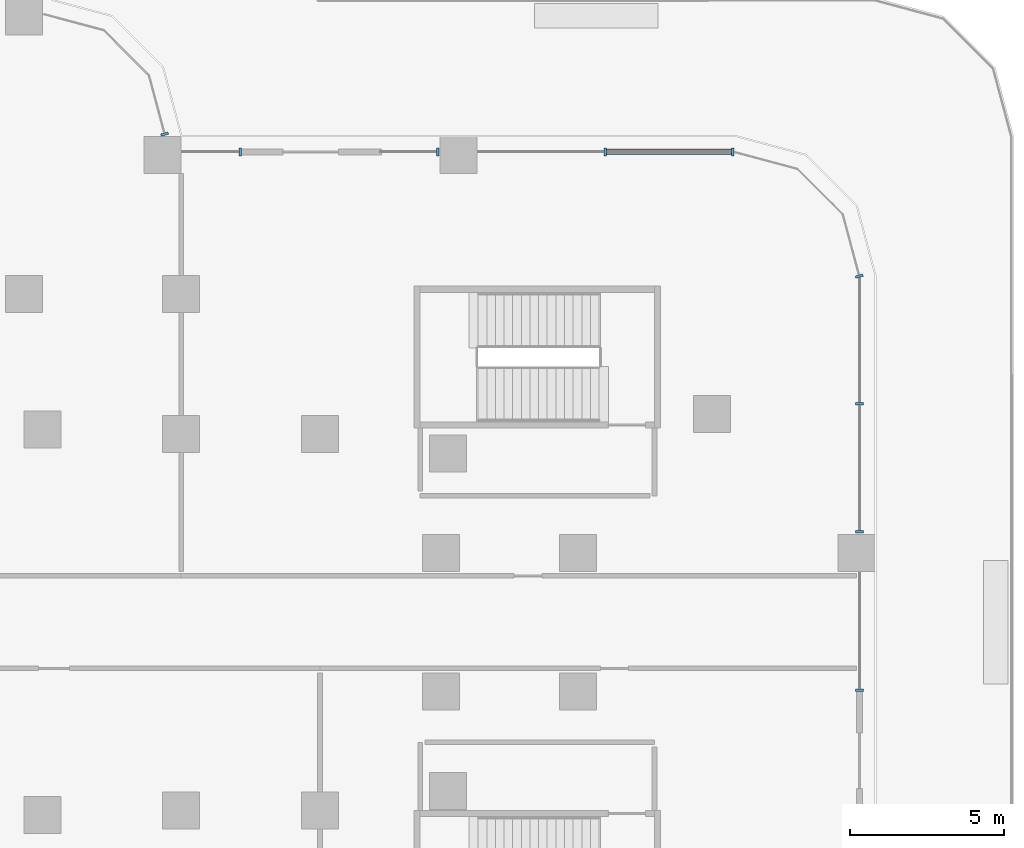
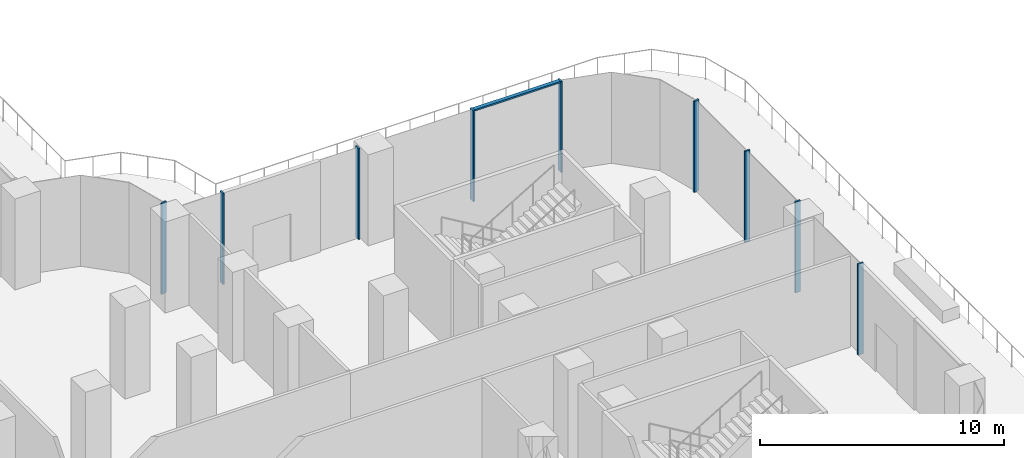
# One storey, part 9 of 27: 10 members, 4 elements without a shape of their own.
"""IFC4 building model written with IfcOpenShell, lengths in metres."""

from ifc_helpers import new_model, si_unit, direction, frame, origin, place, context, subcontext, project, spatial, polyline, outline, extrude, source, transform, mapped, material, type_object, element, aggregate, save


model = new_model("IFC4")

# Units and contexts
model_context = context("Model", 3, precision=1e-05, world=origin(), true_north=direction((0.0, 1.0)))
body_context = subcontext(model_context, "Body", "Model", "MODEL_VIEW")
ifc_project = project(units=[si_unit("LENGTHUNIT", "METRE"), si_unit("AREAUNIT", "SQUARE_METRE"), si_unit("VOLUMEUNIT", "CUBIC_METRE"), si_unit("PLANEANGLEUNIT", "RADIAN"), si_unit("MASSUNIT", "GRAM", prefix="KILO")], contexts=[model_context])

# Site, building, storey
site_placement = place(None, origin())
site = spatial("IfcSite", under=ifc_project, at=site_placement, CompositionType="ELEMENT")
building_placement = place(site_placement, origin())
building = spatial("IfcBuilding", under=site, at=building_placement, Name="Zarbagh Exchange Tower", CompositionType="ELEMENT")
storey_placement = place(building_placement, frame((0.0, 0.0, 17.0)))
storey = spatial("IfcBuildingStorey", under=building, at=storey_placement, Name="L03", CompositionType="ELEMENT", Elevation=17.0)

# Curtain wall, members
ifc_material_1 = material(Name="Anodised aluminium frame and glazing", Category="aluminium")
curtain_wall_type = type_object("IfcCurtainWallType", Name="CWC Podium garden-wall glazing", PredefinedType="NOTDEFINED", material=ifc_material_1)
curtain_wall_1_placement = place(storey_placement, origin())
curtain_wall_1 = element("IfcCurtainWall", 1, at=curtain_wall_1_placement, inside=storey, type_object=curtain_wall_type, Name="CWC154 curtain wall", PredefinedType="NOTDEFINED")
ifc_material_2 = material(Name="Anodised aluminium frame", Category="aluminium")
member_type_1 = type_object("IfcMemberType", Name="MUC Mullion, anodised aluminium frame", PredefinedType="MULLION", material=ifc_material_2)
shared_shape_1 = source(origin(), body_context, "Body", "SweptSolid", [
    extrude(outline(polyline([(0.0, -0.125), (0.080078125, -0.125), (0.080078125, 0.125), (0.0, 0.125), (0.0, -0.125)])), origin(), (0.0, 0.0, 1.0), 4.550048828125),
])
placement = place(storey_placement, origin())
member_1 = element("IfcMember", 2, at=placement, type_object=member_type_1, Name="CWC154 mullion 2.1", PredefinedType="MULLION", context=body_context, shape_type="MappedRepresentation", body=[
    mapped(shared_shape_1, transform((42.25, -2.25, 0.0), x_axis=(0.0, 1.0, 0.0), y_axis=(-1.0, 0.0, 0.0), z_axis=(0.0, 0.0, 1.0))),
])
member_2 = element("IfcMember", 3, at=placement, type_object=member_type_1, Name="CWC154 mullion 3.1", PredefinedType="MULLION", context=body_context, shape_type="MappedRepresentation", body=[
    mapped(shared_shape_1, transform((42.25, 2.89013671875, 0.0), x_axis=(0.0, 1.0, 0.0), y_axis=(-1.0, 0.0, 0.0), z_axis=(0.0, 0.0, 1.0))),
])
member_3 = element("IfcMember", 4, at=placement, type_object=member_type_1, Name="CWC154 mullion 3.2", PredefinedType="MULLION", context=body_context, shape_type="MappedRepresentation", body=[
    mapped(shared_shape_1, transform((42.25, 7.037109375, 0.0), x_axis=(0.0, 1.0, 0.0), y_axis=(-1.0, 0.0, 0.0), z_axis=(0.0, 0.0, 1.0))),
])
aggregate(curtain_wall_1, [member_1, member_2, member_3])

# Curtain wall, member
curtain_wall_2_placement = place(storey_placement, origin())
curtain_wall_2 = element("IfcCurtainWall", 5, at=curtain_wall_2_placement, inside=storey, type_object=curtain_wall_type, Name="CWC155 curtain wall", PredefinedType="NOTDEFINED")
member_4 = element("IfcMember", 6, at=placement, type_object=member_type_1, Name="CWC155 mullion 1.1", PredefinedType="MULLION", context=body_context, shape_type="MappedRepresentation", body=[
    mapped(shared_shape_1, transform((42.25, 11.18408203125, 0.0), x_axis=(-0.258824779902, 0.965924289636, 0.0), y_axis=(-0.965924289636, -0.258824779902, 0.0), z_axis=(0.0, 0.0, 1.0))),
])
aggregate(curtain_wall_2, [member_4])

# Curtain wall, members
curtain_wall_3_placement = place(storey_placement, origin())
curtain_wall_3 = element("IfcCurtainWall", 7, at=curtain_wall_3_placement, inside=storey, type_object=curtain_wall_type, Name="CWC158 curtain wall", PredefinedType="NOTDEFINED")
member_5 = element("IfcMember", 8, at=placement, type_object=member_type_1, Name="CWC158 mullion 1.1", PredefinedType="MULLION", context=body_context, shape_type="MappedRepresentation", body=[
    mapped(shared_shape_1, transform((38.18408203125, 15.25, 0.0), x_axis=(-1.0, 0.0, 0.0), y_axis=(0.0, -1.0, 0.0), z_axis=(0.0, 0.0, 1.0))),
])
member_6 = element("IfcMember", 9, at=placement, type_object=member_type_1, Name="CWC158 mullion 1.2", PredefinedType="MULLION", context=body_context, shape_type="MappedRepresentation", body=[
    mapped(shared_shape_1, transform((34.037109375, 15.25, 0.0), x_axis=(-1.0, 0.0, 0.0), y_axis=(0.0, -1.0, 0.0), z_axis=(0.0, 0.0, 1.0))),
])
member_7 = element("IfcMember", 10, at=placement, type_object=member_type_1, Name="CWC158 mullion 2.1", PredefinedType="MULLION", context=body_context, shape_type="MappedRepresentation", body=[
    mapped(shared_shape_1, transform((28.60986328125, 15.25, 0.0), x_axis=(-1.0, 0.0, 0.0), y_axis=(0.0, -1.0, 0.0), z_axis=(0.0, 0.0, 1.0))),
])
member_8 = element("IfcMember", 11, at=placement, type_object=member_type_1, Name="CWC158 mullion 3.1", PredefinedType="MULLION", context=body_context, shape_type="MappedRepresentation", body=[
    mapped(shared_shape_1, transform((22.199951171875, 15.25, 0.0), x_axis=(-1.0, 0.0, 0.0), y_axis=(0.0, -1.0, 0.0), z_axis=(0.0, 0.0, 1.0))),
])

# Curtain wall, member
curtain_wall_4_placement = place(storey_placement, origin())
curtain_wall_4 = element("IfcCurtainWall", 12, at=curtain_wall_4_placement, inside=storey, type_object=curtain_wall_type, Name="CWC159 curtain wall", PredefinedType="NOTDEFINED")
member_9 = element("IfcMember", 13, at=placement, type_object=member_type_1, Name="CWC159 mullion 1.1", PredefinedType="MULLION", context=body_context, shape_type="MappedRepresentation", body=[
    mapped(shared_shape_1, transform((19.7216796875, 15.7900390625, 0.0), x_axis=(-0.258824779902, 0.965924289636, 0.0), y_axis=(-0.965924289636, -0.258824779902, 0.0), z_axis=(0.0, 0.0, 1.0))),
])
aggregate(curtain_wall_4, [member_9])

# Member
member_type_2 = type_object("IfcMemberType", Name="TRC Transom, anodised aluminium frame", PredefinedType="USERDEFINED", material=ifc_material_2)
shared_shape_2 = source(origin(), body_context, "Body", "SweptSolid", [
    extrude(outline(polyline([(-0.080078125, -0.090087890625), (0.0, -0.090087890625), (0.0, 0.090087890625), (-0.080078125, 0.090087890625), (-0.080078125, -0.090087890625)])), origin(), (0.0, 0.0, 1.0), 4.067138671875),
])
member_10 = element("IfcMember", 14, at=placement, type_object=member_type_2, Name="CWC158 transom 1.1", ObjectType="TRANSOM", PredefinedType="USERDEFINED", context=body_context, shape_type="MappedRepresentation", body=[
    mapped(shared_shape_2, transform((38.104248046875, 15.25, 4.550048828125), x_axis=(0.0, 0.0, 1.0), y_axis=(0.0, 1.0, 0.0), z_axis=(-1.0, 0.0, 0.0))),
])

aggregate(curtain_wall_3, [member_5, member_10, member_6, member_7, member_8])

save(model, "model.ifc")
